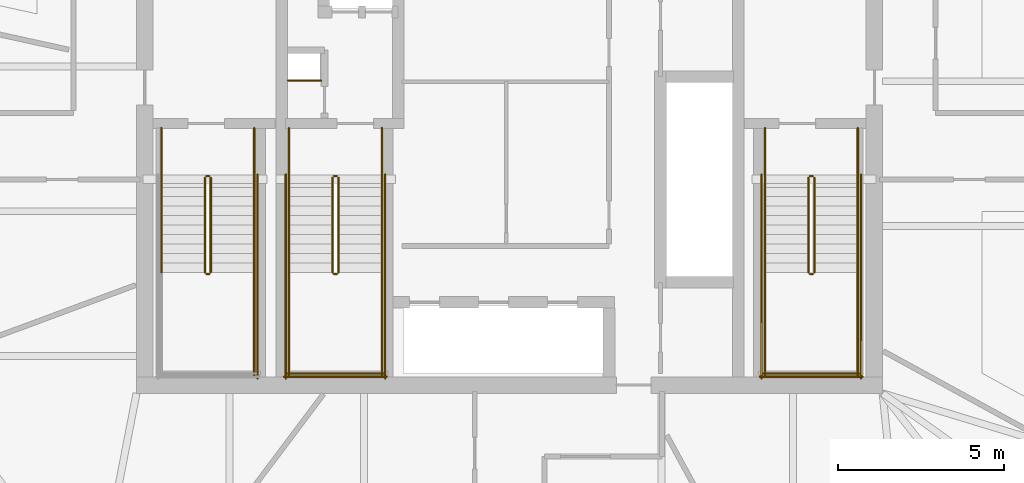
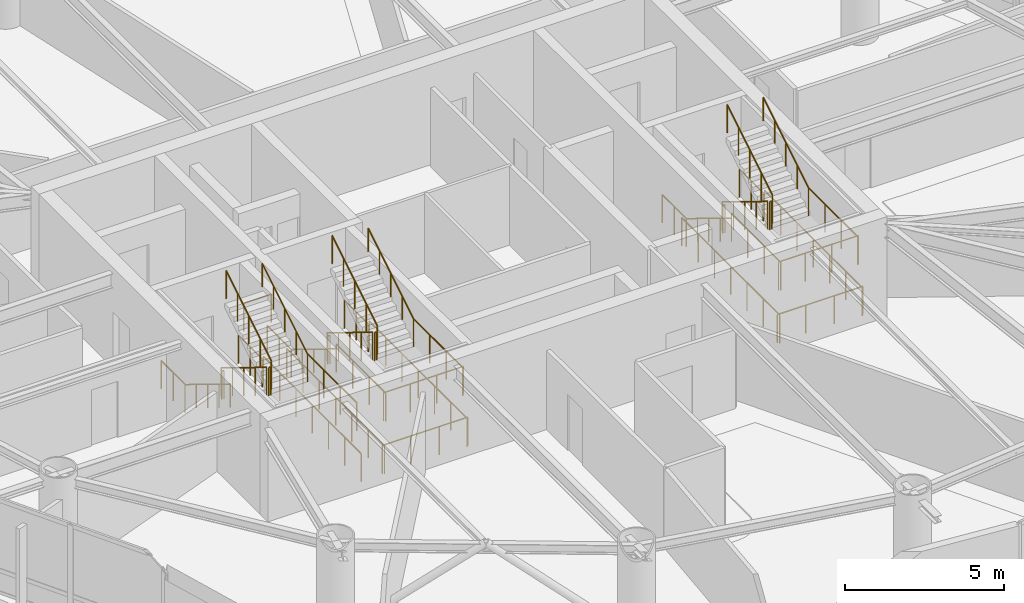
# One storey, part 21 of 22: 39 railings.
"""IFC4 building model written with IfcOpenShell, lengths in metres."""

from ifc_helpers import new_model, si_unit, direction, frame, origin, origin_2d, place, context, subcontext, project, spatial, circle, extrude, material, type_object, element, save


model = new_model("IFC4")

# Units and contexts
model_context = context("Model", 3, precision=1e-05, world=origin(), true_north=direction((0.0, 1.0)))
body_context = subcontext(model_context, "Body", "Model", "MODEL_VIEW")
ifc_project = project(units=[si_unit("LENGTHUNIT", "METRE"), si_unit("AREAUNIT", "SQUARE_METRE"), si_unit("VOLUMEUNIT", "CUBIC_METRE"), si_unit("PLANEANGLEUNIT", "RADIAN"), si_unit("MASSUNIT", "GRAM", prefix="KILO")], contexts=[model_context])

# Site, building, storey
site_placement = place(None, origin())
site = spatial("IfcSite", under=ifc_project, at=site_placement, CompositionType="ELEMENT")
building_placement = place(site_placement, origin())
building = spatial("IfcBuilding", under=site, at=building_placement, Name="Bramvorn Convention Spire", CompositionType="ELEMENT")
storey_placement = place(building_placement, frame((0.0, 0.0, 190.449951171875)))
storey = spatial("IfcBuildingStorey", under=building, at=storey_placement, Name="L48", CompositionType="ELEMENT", Elevation=190.449951171875)

# Railings
ifc_material_1 = material(Name="Painted Steel Balustrade & Guardrail", Category="steel")
railing_type_1 = type_object("IfcRailingType", Name="RL-STAIR-GUARD-1100", PredefinedType="GUARDRAIL", material=ifc_material_1)
railing_1_placement = place(storey_placement, frame((28.81005859375, 25.050048828125, 0.175048828125)))
element("IfcRailing", 1, at=railing_1_placement, inside=storey, type_object=railing_type_1, Name="L48 ST1 stair guard 1", PredefinedType="GUARDRAIL", context=body_context, shape_type="SweptSolid", body=[
    extrude(circle(Radius=0.02392578125, at=origin_2d()), frame((0.0, 0.0, 1.076171875), z_axis=(0.0, -0.852179220489, 0.52325001306), x_axis=(1.0, 0.0, 0.0)), (0.0, 0.0, 1.0), 3.344482421875),
    extrude(circle(Radius=0.02099609375, at=origin_2d()), origin(), (0.0, 0.0, 1.0), 1.052001953125),
    extrude(circle(Radius=0.02099609375, at=origin_2d()), frame((0.0, -0.71240234375, 0.4375)), (0.0, 0.0, 1.0), 1.052001953125),
    extrude(circle(Radius=0.02099609375, at=origin_2d()), frame((0.0, -1.425048828125, 0.875)), (0.0, 0.0, 1.0), 1.052001953125),
    extrude(circle(Radius=0.02099609375, at=origin_2d()), frame((0.0, -2.1376953125, 1.3125)), (0.0, 0.0, 1.0), 1.052001953125),
    extrude(circle(Radius=0.02099609375, at=origin_2d()), frame((0.0, -2.85009765625, 1.75)), (0.0, 0.0, 1.0), 1.052001953125),
])
railing_2_placement = place(storey_placement, frame((28.860107421875, 22.14990234375, 1.925048828125)))
element("IfcRailing", 2, at=railing_2_placement, inside=storey, type_object=railing_type_1, Name="L48 ST1 stair guard 2", PredefinedType="GUARDRAIL", context=body_context, shape_type="SweptSolid", body=[
    extrude(circle(Radius=0.02392578125, at=origin_2d()), frame((0.0, 0.0, 1.076171875), z_axis=(1.0, 0.0, 0.0), x_axis=(0.0, 1.0, 0.0)), (0.0, 0.0, 1.0), 0.079833984375),
    extrude(circle(Radius=0.02099609375, at=origin_2d()), origin(), (0.0, 0.0, 1.0), 1.052001953125),
    extrude(circle(Radius=0.02099609375, at=origin_2d()), frame((0.079833984375, 0.0, 0.0)), (0.0, 0.0, 1.0), 1.052001953125),
])
railing_3_placement = place(storey_placement, frame((30.300048828125, 22.199951171875, 1.925048828125)))
element("IfcRailing", 3, at=railing_3_placement, inside=storey, type_object=railing_type_1, Name="L48 ST1 stair guard 4", PredefinedType="GUARDRAIL", context=body_context, shape_type="SweptSolid", body=[
    extrude(circle(Radius=0.02392578125, at=origin_2d()), frame((0.0, 0.0, 1.076171875), z_axis=(0.0, -1.0, 0.0), x_axis=(1.0, 0.0, 0.0)), (0.0, 0.0, 1.0), 3.099853515625),
    extrude(circle(Radius=0.02099609375, at=origin_2d()), origin(), (0.0, 0.0, 1.0), 1.052001953125),
    extrude(circle(Radius=0.02099609375, at=origin_2d()), frame((0.0, -1.033203125, 0.0)), (0.0, 0.0, 1.0), 1.052001953125),
    extrude(circle(Radius=0.02099609375, at=origin_2d()), frame((0.0, -2.066650390625, 0.0)), (0.0, 0.0, 1.0), 1.052001953125),
    extrude(circle(Radius=0.02099609375, at=origin_2d()), frame((0.0, -3.099853515625, 0.0)), (0.0, 0.0, 1.0), 1.052001953125),
])
railing_4_placement = place(storey_placement, frame((28.989990234375, 22.199951171875, 2.10009765625)))
element("IfcRailing", 4, at=railing_4_placement, inside=storey, type_object=railing_type_1, Name="L48 ST1 stair guard 6", PredefinedType="GUARDRAIL", context=body_context, shape_type="SweptSolid", body=[
    extrude(circle(Radius=0.02392578125, at=origin_2d()), frame((0.0, 0.0, 1.076171875), z_axis=(0.0, 0.852179220489, 0.52325001306), x_axis=(-1.0, 0.0, 0.0)), (0.0, 0.0, 1.0), 3.344482421875),
    extrude(circle(Radius=0.02099609375, at=origin_2d()), origin(), (0.0, 0.0, 1.0), 1.052001953125),
    extrude(circle(Radius=0.02099609375, at=origin_2d()), frame((0.0, 0.71240234375, 0.4375)), (0.0, 0.0, 1.0), 1.052001953125),
    extrude(circle(Radius=0.02099609375, at=origin_2d()), frame((0.0, 1.425048828125, 0.875)), (0.0, 0.0, 1.0), 1.052001953125),
    extrude(circle(Radius=0.02099609375, at=origin_2d()), frame((0.0, 2.1376953125, 1.3125)), (0.0, 0.0, 1.0), 1.052001953125),
    extrude(circle(Radius=0.02099609375, at=origin_2d()), frame((0.0, 2.85009765625, 1.75)), (0.0, 0.0, 1.0), 1.052001953125),
])
railing_5_placement = place(storey_placement, frame((28.860107421875, 25.10009765625, 0.0)))
element("IfcRailing", 5, at=railing_5_placement, inside=storey, type_object=railing_type_1, Name="L48 ST1 stair guard 7", PredefinedType="GUARDRAIL", context=body_context, shape_type="SweptSolid", body=[
    extrude(circle(Radius=0.02392578125, at=origin_2d()), frame((0.0, 0.0, 1.076171875), z_axis=(1.0, 0.0, 0.0), x_axis=(0.0, 1.0, 0.0)), (0.0, 0.0, 1.0), 0.079833984375),
    extrude(circle(Radius=0.02099609375, at=origin_2d()), origin(), (0.0, 0.0, 1.0), 1.052001953125),
    extrude(circle(Radius=0.02099609375, at=origin_2d()), frame((0.079833984375, 0.0, 0.0)), (0.0, 0.0, 1.0), 1.052001953125),
])
for number, where, name in (
    (6, (27.5, 26.550048828125, 0.0), "L48 ST1 stair guard 8"),
    (7, (30.300048828125, 26.550048828125, 0.0), "L48 ST1 stair guard 9"),
):
    element("IfcRailing", number, at=place(storey_placement, frame(where)), inside=storey, type_object=railing_type_1, Name=name, PredefinedType="GUARDRAIL", context=body_context, shape_type="SweptSolid", body=[
        extrude(circle(Radius=0.02392578125, at=origin_2d()), frame((0.0, 0.0, 1.076171875), z_axis=(0.0, -1.0, 0.0), x_axis=(1.0, 0.0, 0.0)), (0.0, 0.0, 1.0), 1.5),
        extrude(circle(Radius=0.02099609375, at=origin_2d()), origin(), (0.0, 0.0, 1.0), 1.052001953125),
        extrude(circle(Radius=0.02099609375, at=origin_2d()), frame((0.0, -0.75, 0.0)), (0.0, 0.0, 1.0), 1.052001953125),
        extrude(circle(Radius=0.02099609375, at=origin_2d()), frame((0.0, -1.5, 0.0)), (0.0, 0.0, 1.0), 1.052001953125),
    ])
railing_6_placement = place(storey_placement, frame((30.39990234375, 25.14990234375, 0.0)))
element("IfcRailing", 8, at=railing_6_placement, inside=storey, type_object=railing_type_1, Name="L48 ST1 stair guard 11", PredefinedType="GUARDRAIL", context=body_context, shape_type="SweptSolid", body=[
    extrude(circle(Radius=0.02392578125, at=origin_2d()), frame((0.0, 0.0, 1.076171875), z_axis=(0.0, -1.0, 0.0), x_axis=(1.0, 0.0, 0.0)), (0.0, 0.0, 1.0), 6.14990234375),
    extrude(circle(Radius=0.02099609375, at=origin_2d()), origin(), (0.0, 0.0, 1.0), 1.052001953125),
    extrude(circle(Radius=0.02099609375, at=origin_2d()), frame((0.0, -1.02490234375, 0.0)), (0.0, 0.0, 1.0), 1.052001953125),
    extrude(circle(Radius=0.02099609375, at=origin_2d()), frame((0.0, -2.050048828125, 0.0)), (0.0, 0.0, 1.0), 1.052001953125),
    extrude(circle(Radius=0.02099609375, at=origin_2d()), frame((0.0, -3.074951171875, 0.0)), (0.0, 0.0, 1.0), 1.052001953125),
    extrude(circle(Radius=0.02099609375, at=origin_2d()), frame((0.0, -4.099853515625, 0.0)), (0.0, 0.0, 1.0), 1.052001953125),
    extrude(circle(Radius=0.02099609375, at=origin_2d()), frame((0.0, -5.125, 0.0)), (0.0, 0.0, 1.0), 1.052001953125),
    extrude(circle(Radius=0.02099609375, at=origin_2d()), frame((0.0, -6.14990234375, 0.0)), (0.0, 0.0, 1.0), 1.052001953125),
])
railing_7_placement = place(storey_placement, frame((47.010009765625, 25.050048828125, 0.175048828125)))
element("IfcRailing", 9, at=railing_7_placement, inside=storey, type_object=railing_type_1, Name="L48 ST2 stair guard 1", PredefinedType="GUARDRAIL", context=body_context, shape_type="SweptSolid", body=[
    extrude(circle(Radius=0.02392578125, at=origin_2d()), frame((0.0, 0.0, 1.076171875), z_axis=(0.0, -0.852179220489, 0.52325001306), x_axis=(1.0, 0.0, 0.0)), (0.0, 0.0, 1.0), 3.344482421875),
    extrude(circle(Radius=0.02099609375, at=origin_2d()), origin(), (0.0, 0.0, 1.0), 1.052001953125),
    extrude(circle(Radius=0.02099609375, at=origin_2d()), frame((0.0, -0.71240234375, 0.4375)), (0.0, 0.0, 1.0), 1.052001953125),
    extrude(circle(Radius=0.02099609375, at=origin_2d()), frame((0.0, -1.425048828125, 0.875)), (0.0, 0.0, 1.0), 1.052001953125),
    extrude(circle(Radius=0.02099609375, at=origin_2d()), frame((0.0, -2.1376953125, 1.3125)), (0.0, 0.0, 1.0), 1.052001953125),
    extrude(circle(Radius=0.02099609375, at=origin_2d()), frame((0.0, -2.85009765625, 1.75)), (0.0, 0.0, 1.0), 1.052001953125),
])
railing_8_placement = place(storey_placement, frame((47.06005859375, 22.14990234375, 1.925048828125)))
element("IfcRailing", 10, at=railing_8_placement, inside=storey, type_object=railing_type_1, Name="L48 ST2 stair guard 2", PredefinedType="GUARDRAIL", context=body_context, shape_type="SweptSolid", body=[
    extrude(circle(Radius=0.02392578125, at=origin_2d()), frame((0.0, 0.0, 1.076171875), z_axis=(1.0, 0.0, 0.0), x_axis=(0.0, 1.0, 0.0)), (0.0, 0.0, 1.0), 0.079833984375),
    extrude(circle(Radius=0.02099609375, at=origin_2d()), origin(), (0.0, 0.0, 1.0), 1.052001953125),
    extrude(circle(Radius=0.02099609375, at=origin_2d()), frame((0.079833984375, 0.0, 0.0)), (0.0, 0.0, 1.0), 1.052001953125),
])
for number, where, name in (
    (11, (45.699951171875, 22.199951171875, 1.925048828125), "L48 ST2 stair guard 3"),
    (12, (48.5, 22.199951171875, 1.925048828125), "L48 ST2 stair guard 4"),
):
    element("IfcRailing", number, at=place(storey_placement, frame(where)), inside=storey, type_object=railing_type_1, Name=name, PredefinedType="GUARDRAIL", context=body_context, shape_type="SweptSolid", body=[
        extrude(circle(Radius=0.02392578125, at=origin_2d()), frame((0.0, 0.0, 1.076171875), z_axis=(0.0, -1.0, 0.0), x_axis=(1.0, 0.0, 0.0)), (0.0, 0.0, 1.0), 3.099853515625),
        extrude(circle(Radius=0.02099609375, at=origin_2d()), origin(), (0.0, 0.0, 1.0), 1.052001953125),
        extrude(circle(Radius=0.02099609375, at=origin_2d()), frame((0.0, -1.033203125, 0.0)), (0.0, 0.0, 1.0), 1.052001953125),
        extrude(circle(Radius=0.02099609375, at=origin_2d()), frame((0.0, -2.066650390625, 0.0)), (0.0, 0.0, 1.0), 1.052001953125),
        extrude(circle(Radius=0.02099609375, at=origin_2d()), frame((0.0, -3.099853515625, 0.0)), (0.0, 0.0, 1.0), 1.052001953125),
    ])
railing_9_placement = place(storey_placement, frame((45.64990234375, 19.14990234375, 1.925048828125)))
element("IfcRailing", 13, at=railing_9_placement, inside=storey, type_object=railing_type_1, Name="L48 ST2 stair guard 5", PredefinedType="GUARDRAIL", context=body_context, shape_type="SweptSolid", body=[
    extrude(circle(Radius=0.02392578125, at=origin_2d()), frame((0.0, 0.0, 1.076171875), z_axis=(1.0, 0.0, 0.0), x_axis=(0.0, 1.0, 0.0)), (0.0, 0.0, 1.0), 2.900146484375),
    extrude(circle(Radius=0.02099609375, at=origin_2d()), origin(), (0.0, 0.0, 1.0), 1.052001953125),
    extrude(circle(Radius=0.02099609375, at=origin_2d()), frame((0.966796875, 0.0, 0.0)), (0.0, 0.0, 1.0), 1.052001953125),
    extrude(circle(Radius=0.02099609375, at=origin_2d()), frame((1.933349609375, 0.0, 0.0)), (0.0, 0.0, 1.0), 1.052001953125),
    extrude(circle(Radius=0.02099609375, at=origin_2d()), frame((2.900146484375, 0.0, 0.0)), (0.0, 0.0, 1.0), 1.052001953125),
])
railing_10_placement = place(storey_placement, frame((47.18994140625, 22.199951171875, 2.10009765625)))
element("IfcRailing", 14, at=railing_10_placement, inside=storey, type_object=railing_type_1, Name="L48 ST2 stair guard 6", PredefinedType="GUARDRAIL", context=body_context, shape_type="SweptSolid", body=[
    extrude(circle(Radius=0.02392578125, at=origin_2d()), frame((0.0, 0.0, 1.076171875), z_axis=(0.0, 0.852179220489, 0.52325001306), x_axis=(-1.0, 0.0, 0.0)), (0.0, 0.0, 1.0), 3.344482421875),
    extrude(circle(Radius=0.02099609375, at=origin_2d()), origin(), (0.0, 0.0, 1.0), 1.052001953125),
    extrude(circle(Radius=0.02099609375, at=origin_2d()), frame((0.0, 0.71240234375, 0.4375)), (0.0, 0.0, 1.0), 1.052001953125),
    extrude(circle(Radius=0.02099609375, at=origin_2d()), frame((0.0, 1.425048828125, 0.875)), (0.0, 0.0, 1.0), 1.052001953125),
    extrude(circle(Radius=0.02099609375, at=origin_2d()), frame((0.0, 2.1376953125, 1.3125)), (0.0, 0.0, 1.0), 1.052001953125),
    extrude(circle(Radius=0.02099609375, at=origin_2d()), frame((0.0, 2.85009765625, 1.75)), (0.0, 0.0, 1.0), 1.052001953125),
])
railing_11_placement = place(storey_placement, frame((47.06005859375, 25.10009765625, 0.0)))
element("IfcRailing", 15, at=railing_11_placement, inside=storey, type_object=railing_type_1, Name="L48 ST2 stair guard 7", PredefinedType="GUARDRAIL", context=body_context, shape_type="SweptSolid", body=[
    extrude(circle(Radius=0.02392578125, at=origin_2d()), frame((0.0, 0.0, 1.076171875), z_axis=(1.0, 0.0, 0.0), x_axis=(0.0, 1.0, 0.0)), (0.0, 0.0, 1.0), 0.079833984375),
    extrude(circle(Radius=0.02099609375, at=origin_2d()), origin(), (0.0, 0.0, 1.0), 1.052001953125),
    extrude(circle(Radius=0.02099609375, at=origin_2d()), frame((0.079833984375, 0.0, 0.0)), (0.0, 0.0, 1.0), 1.052001953125),
])
for number, where, name in (
    (16, (45.699951171875, 26.550048828125, 0.0), "L48 ST2 stair guard 8"),
    (17, (48.5, 26.550048828125, 0.0), "L48 ST2 stair guard 9"),
):
    element("IfcRailing", number, at=place(storey_placement, frame(where)), inside=storey, type_object=railing_type_1, Name=name, PredefinedType="GUARDRAIL", context=body_context, shape_type="SweptSolid", body=[
        extrude(circle(Radius=0.02392578125, at=origin_2d()), frame((0.0, 0.0, 1.076171875), z_axis=(0.0, -1.0, 0.0), x_axis=(1.0, 0.0, 0.0)), (0.0, 0.0, 1.0), 1.5),
        extrude(circle(Radius=0.02099609375, at=origin_2d()), origin(), (0.0, 0.0, 1.0), 1.052001953125),
        extrude(circle(Radius=0.02099609375, at=origin_2d()), frame((0.0, -0.75, 0.0)), (0.0, 0.0, 1.0), 1.052001953125),
        extrude(circle(Radius=0.02099609375, at=origin_2d()), frame((0.0, -1.5, 0.0)), (0.0, 0.0, 1.0), 1.052001953125),
    ])
for number, where, name in (
    (18, (45.60009765625, 25.14990234375, 0.0), "L48 ST2 stair guard 10"),
    (19, (48.60009765625, 25.14990234375, 0.0), "L48 ST2 stair guard 11"),
):
    element("IfcRailing", number, at=place(storey_placement, frame(where)), inside=storey, type_object=railing_type_1, Name=name, PredefinedType="GUARDRAIL", context=body_context, shape_type="SweptSolid", body=[
        extrude(circle(Radius=0.02392578125, at=origin_2d()), frame((0.0, 0.0, 1.076171875), z_axis=(0.0, -1.0, 0.0), x_axis=(1.0, 0.0, 0.0)), (0.0, 0.0, 1.0), 6.14990234375),
        extrude(circle(Radius=0.02099609375, at=origin_2d()), origin(), (0.0, 0.0, 1.0), 1.052001953125),
        extrude(circle(Radius=0.02099609375, at=origin_2d()), frame((0.0, -1.02490234375, 0.0)), (0.0, 0.0, 1.0), 1.052001953125),
        extrude(circle(Radius=0.02099609375, at=origin_2d()), frame((0.0, -2.050048828125, 0.0)), (0.0, 0.0, 1.0), 1.052001953125),
        extrude(circle(Radius=0.02099609375, at=origin_2d()), frame((0.0, -3.074951171875, 0.0)), (0.0, 0.0, 1.0), 1.052001953125),
        extrude(circle(Radius=0.02099609375, at=origin_2d()), frame((0.0, -4.099853515625, 0.0)), (0.0, 0.0, 1.0), 1.052001953125),
        extrude(circle(Radius=0.02099609375, at=origin_2d()), frame((0.0, -5.125, 0.0)), (0.0, 0.0, 1.0), 1.052001953125),
        extrude(circle(Radius=0.02099609375, at=origin_2d()), frame((0.0, -6.14990234375, 0.0)), (0.0, 0.0, 1.0), 1.052001953125),
    ])
railing_12_placement = place(storey_placement, frame((45.550048828125, 19.050048828125, 0.0)))
element("IfcRailing", 20, at=railing_12_placement, inside=storey, type_object=railing_type_1, Name="L48 ST2 stair guard 12", PredefinedType="GUARDRAIL", context=body_context, shape_type="SweptSolid", body=[
    extrude(circle(Radius=0.02392578125, at=origin_2d()), frame((0.0, 0.0, 1.076171875), z_axis=(1.0, 0.0, 0.0), x_axis=(0.0, 1.0, 0.0)), (0.0, 0.0, 1.0), 3.099853515625),
    extrude(circle(Radius=0.02099609375, at=origin_2d()), origin(), (0.0, 0.0, 1.0), 1.052001953125),
    extrude(circle(Radius=0.02099609375, at=origin_2d()), frame((1.033203125, 0.0, 0.0)), (0.0, 0.0, 1.0), 1.052001953125),
    extrude(circle(Radius=0.02099609375, at=origin_2d()), frame((2.066650390625, 0.0, 0.0)), (0.0, 0.0, 1.0), 1.052001953125),
    extrude(circle(Radius=0.02099609375, at=origin_2d()), frame((3.099853515625, 0.0, 0.0)), (0.0, 0.0, 1.0), 1.052001953125),
])
railing_13_placement = place(storey_placement, frame((32.659912109375, 25.050048828125, 0.175048828125)))
element("IfcRailing", 21, at=railing_13_placement, inside=storey, type_object=railing_type_1, Name="L48 ST3 stair guard 1", PredefinedType="GUARDRAIL", context=body_context, shape_type="SweptSolid", body=[
    extrude(circle(Radius=0.02392578125, at=origin_2d()), frame((0.0, 0.0, 1.076171875), z_axis=(0.0, -0.852179220489, 0.52325001306), x_axis=(1.0, 0.0, 0.0)), (0.0, 0.0, 1.0), 3.344482421875),
    extrude(circle(Radius=0.02099609375, at=origin_2d()), origin(), (0.0, 0.0, 1.0), 1.052001953125),
    extrude(circle(Radius=0.02099609375, at=origin_2d()), frame((0.0, -0.71240234375, 0.4375)), (0.0, 0.0, 1.0), 1.052001953125),
    extrude(circle(Radius=0.02099609375, at=origin_2d()), frame((0.0, -1.425048828125, 0.875)), (0.0, 0.0, 1.0), 1.052001953125),
    extrude(circle(Radius=0.02099609375, at=origin_2d()), frame((0.0, -2.1376953125, 1.3125)), (0.0, 0.0, 1.0), 1.052001953125),
    extrude(circle(Radius=0.02099609375, at=origin_2d()), frame((0.0, -2.85009765625, 1.75)), (0.0, 0.0, 1.0), 1.052001953125),
])
railing_14_placement = place(storey_placement, frame((32.7099609375, 22.14990234375, 1.925048828125)))
element("IfcRailing", 22, at=railing_14_placement, inside=storey, type_object=railing_type_1, Name="L48 ST3 stair guard 2", PredefinedType="GUARDRAIL", context=body_context, shape_type="SweptSolid", body=[
    extrude(circle(Radius=0.02392578125, at=origin_2d()), frame((0.0, 0.0, 1.076171875), z_axis=(1.0, 0.0, 0.0), x_axis=(0.0, 1.0, 0.0)), (0.0, 0.0, 1.0), 0.080078125),
    extrude(circle(Radius=0.02099609375, at=origin_2d()), origin(), (0.0, 0.0, 1.0), 1.052001953125),
    extrude(circle(Radius=0.02099609375, at=origin_2d()), frame((0.080078125, 0.0, 0.0)), (0.0, 0.0, 1.0), 1.052001953125),
])
for number, where, name in (
    (23, (31.35009765625, 22.199951171875, 1.925048828125), "L48 ST3 stair guard 3"),
    (24, (34.14990234375, 22.199951171875, 1.925048828125), "L48 ST3 stair guard 4"),
):
    element("IfcRailing", number, at=place(storey_placement, frame(where)), inside=storey, type_object=railing_type_1, Name=name, PredefinedType="GUARDRAIL", context=body_context, shape_type="SweptSolid", body=[
        extrude(circle(Radius=0.02392578125, at=origin_2d()), frame((0.0, 0.0, 1.076171875), z_axis=(0.0, -1.0, 0.0), x_axis=(1.0, 0.0, 0.0)), (0.0, 0.0, 1.0), 3.099853515625),
        extrude(circle(Radius=0.02099609375, at=origin_2d()), origin(), (0.0, 0.0, 1.0), 1.052001953125),
        extrude(circle(Radius=0.02099609375, at=origin_2d()), frame((0.0, -1.033203125, 0.0)), (0.0, 0.0, 1.0), 1.052001953125),
        extrude(circle(Radius=0.02099609375, at=origin_2d()), frame((0.0, -2.066650390625, 0.0)), (0.0, 0.0, 1.0), 1.052001953125),
        extrude(circle(Radius=0.02099609375, at=origin_2d()), frame((0.0, -3.099853515625, 0.0)), (0.0, 0.0, 1.0), 1.052001953125),
    ])
railing_15_placement = place(storey_placement, frame((31.300048828125, 19.14990234375, 1.925048828125)))
element("IfcRailing", 25, at=railing_15_placement, inside=storey, type_object=railing_type_1, Name="L48 ST3 stair guard 5", PredefinedType="GUARDRAIL", context=body_context, shape_type="SweptSolid", body=[
    extrude(circle(Radius=0.02392578125, at=origin_2d()), frame((0.0, 0.0, 1.076171875), z_axis=(1.0, 0.0, 0.0), x_axis=(0.0, 1.0, 0.0)), (0.0, 0.0, 1.0), 2.89990234375),
    extrude(circle(Radius=0.02099609375, at=origin_2d()), origin(), (0.0, 0.0, 1.0), 1.052001953125),
    extrude(circle(Radius=0.02099609375, at=origin_2d()), frame((0.966552734375, 0.0, 0.0)), (0.0, 0.0, 1.0), 1.052001953125),
    extrude(circle(Radius=0.02099609375, at=origin_2d()), frame((1.933349609375, 0.0, 0.0)), (0.0, 0.0, 1.0), 1.052001953125),
    extrude(circle(Radius=0.02099609375, at=origin_2d()), frame((2.89990234375, 0.0, 0.0)), (0.0, 0.0, 1.0), 1.052001953125),
])
railing_16_placement = place(storey_placement, frame((32.840087890625, 22.199951171875, 2.10009765625)))
element("IfcRailing", 26, at=railing_16_placement, inside=storey, type_object=railing_type_1, Name="L48 ST3 stair guard 6", PredefinedType="GUARDRAIL", context=body_context, shape_type="SweptSolid", body=[
    extrude(circle(Radius=0.02392578125, at=origin_2d()), frame((0.0, 0.0, 1.076171875), z_axis=(0.0, 0.852179220489, 0.52325001306), x_axis=(-1.0, 0.0, 0.0)), (0.0, 0.0, 1.0), 3.344482421875),
    extrude(circle(Radius=0.02099609375, at=origin_2d()), origin(), (0.0, 0.0, 1.0), 1.052001953125),
    extrude(circle(Radius=0.02099609375, at=origin_2d()), frame((0.0, 0.71240234375, 0.4375)), (0.0, 0.0, 1.0), 1.052001953125),
    extrude(circle(Radius=0.02099609375, at=origin_2d()), frame((0.0, 1.425048828125, 0.875)), (0.0, 0.0, 1.0), 1.052001953125),
    extrude(circle(Radius=0.02099609375, at=origin_2d()), frame((0.0, 2.1376953125, 1.3125)), (0.0, 0.0, 1.0), 1.052001953125),
    extrude(circle(Radius=0.02099609375, at=origin_2d()), frame((0.0, 2.85009765625, 1.75)), (0.0, 0.0, 1.0), 1.052001953125),
])
railing_17_placement = place(storey_placement, frame((32.7099609375, 25.10009765625, 0.0)))
element("IfcRailing", 27, at=railing_17_placement, inside=storey, type_object=railing_type_1, Name="L48 ST3 stair guard 7", PredefinedType="GUARDRAIL", context=body_context, shape_type="SweptSolid", body=[
    extrude(circle(Radius=0.02392578125, at=origin_2d()), frame((0.0, 0.0, 1.076171875), z_axis=(1.0, 0.0, 0.0), x_axis=(0.0, 1.0, 0.0)), (0.0, 0.0, 1.0), 0.080078125),
    extrude(circle(Radius=0.02099609375, at=origin_2d()), origin(), (0.0, 0.0, 1.0), 1.052001953125),
    extrude(circle(Radius=0.02099609375, at=origin_2d()), frame((0.080078125, 0.0, 0.0)), (0.0, 0.0, 1.0), 1.052001953125),
])
for number, where, name in (
    (28, (31.35009765625, 26.550048828125, 0.0), "L48 ST3 stair guard 8"),
    (29, (34.14990234375, 26.550048828125, 0.0), "L48 ST3 stair guard 9"),
):
    element("IfcRailing", number, at=place(storey_placement, frame(where)), inside=storey, type_object=railing_type_1, Name=name, PredefinedType="GUARDRAIL", context=body_context, shape_type="SweptSolid", body=[
        extrude(circle(Radius=0.02392578125, at=origin_2d()), frame((0.0, 0.0, 1.076171875), z_axis=(0.0, -1.0, 0.0), x_axis=(1.0, 0.0, 0.0)), (0.0, 0.0, 1.0), 1.5),
        extrude(circle(Radius=0.02099609375, at=origin_2d()), origin(), (0.0, 0.0, 1.0), 1.052001953125),
        extrude(circle(Radius=0.02099609375, at=origin_2d()), frame((0.0, -0.75, 0.0)), (0.0, 0.0, 1.0), 1.052001953125),
        extrude(circle(Radius=0.02099609375, at=origin_2d()), frame((0.0, -1.5, 0.0)), (0.0, 0.0, 1.0), 1.052001953125),
    ])
for number, where, name in (
    (30, (31.25, 25.14990234375, 0.0), "L48 ST3 stair guard 10"),
    (31, (34.25, 25.14990234375, 0.0), "L48 ST3 stair guard 11"),
):
    element("IfcRailing", number, at=place(storey_placement, frame(where)), inside=storey, type_object=railing_type_1, Name=name, PredefinedType="GUARDRAIL", context=body_context, shape_type="SweptSolid", body=[
        extrude(circle(Radius=0.02392578125, at=origin_2d()), frame((0.0, 0.0, 1.076171875), z_axis=(0.0, -1.0, 0.0), x_axis=(1.0, 0.0, 0.0)), (0.0, 0.0, 1.0), 6.14990234375),
        extrude(circle(Radius=0.02099609375, at=origin_2d()), origin(), (0.0, 0.0, 1.0), 1.052001953125),
        extrude(circle(Radius=0.02099609375, at=origin_2d()), frame((0.0, -1.02490234375, 0.0)), (0.0, 0.0, 1.0), 1.052001953125),
        extrude(circle(Radius=0.02099609375, at=origin_2d()), frame((0.0, -2.050048828125, 0.0)), (0.0, 0.0, 1.0), 1.052001953125),
        extrude(circle(Radius=0.02099609375, at=origin_2d()), frame((0.0, -3.074951171875, 0.0)), (0.0, 0.0, 1.0), 1.052001953125),
        extrude(circle(Radius=0.02099609375, at=origin_2d()), frame((0.0, -4.099853515625, 0.0)), (0.0, 0.0, 1.0), 1.052001953125),
        extrude(circle(Radius=0.02099609375, at=origin_2d()), frame((0.0, -5.125, 0.0)), (0.0, 0.0, 1.0), 1.052001953125),
        extrude(circle(Radius=0.02099609375, at=origin_2d()), frame((0.0, -6.14990234375, 0.0)), (0.0, 0.0, 1.0), 1.052001953125),
    ])
railing_18_placement = place(storey_placement, frame((31.199951171875, 19.050048828125, 0.0)))
element("IfcRailing", 32, at=railing_18_placement, inside=storey, type_object=railing_type_1, Name="L48 ST3 stair guard 12", PredefinedType="GUARDRAIL", context=body_context, shape_type="SweptSolid", body=[
    extrude(circle(Radius=0.02392578125, at=origin_2d()), frame((0.0, 0.0, 1.076171875), z_axis=(1.0, 0.0, 0.0), x_axis=(0.0, 1.0, 0.0)), (0.0, 0.0, 1.0), 3.10009765625),
    extrude(circle(Radius=0.02099609375, at=origin_2d()), origin(), (0.0, 0.0, 1.0), 1.052001953125),
    extrude(circle(Radius=0.02099609375, at=origin_2d()), frame((1.033447265625, 0.0, 0.0)), (0.0, 0.0, 1.0), 1.052001953125),
    extrude(circle(Radius=0.02099609375, at=origin_2d()), frame((2.066650390625, 0.0, 0.0)), (0.0, 0.0, 1.0), 1.052001953125),
    extrude(circle(Radius=0.02099609375, at=origin_2d()), frame((3.10009765625, 0.0, 0.0)), (0.0, 0.0, 1.0), 1.052001953125),
])
railing_19_placement = place(storey_placement, frame((31.320068359375, 27.97998046875, 0.0)))
element("IfcRailing", 33, at=railing_19_placement, inside=storey, type_object=railing_type_1, Name="L48 Telecom riser shaft opening safety guardrail", PredefinedType="GUARDRAIL", context=body_context, shape_type="SweptSolid", body=[
    extrude(circle(Radius=0.02392578125, at=origin_2d()), frame((0.0, 0.0, 1.076171875), z_axis=(1.0, 0.0, 0.0), x_axis=(0.0, 1.0, 0.0)), (0.0, 0.0, 1.0), 1.0),
    extrude(circle(Radius=0.02099609375, at=origin_2d()), origin(), (0.0, 0.0, 1.0), 1.052001953125),
    extrude(circle(Radius=0.02099609375, at=origin_2d()), frame((1.0, 0.0, 0.0)), (0.0, 0.0, 1.0), 1.052001953125),
])
ifc_material_2 = material(Name="Brushed Bronze Tubular Handrail", Category="aluminium")
railing_type_2 = type_object("IfcRailingType", Name="RL-STAIR-HR-920", PredefinedType="HANDRAIL", material=ifc_material_2)
railing_20_placement = place(storey_placement, frame((27.5, 25.050048828125, 0.175048828125)))
element("IfcRailing", 34, at=railing_20_placement, inside=storey, type_object=railing_type_2, Name="L48 ST1 stair handrail 1", PredefinedType="HANDRAIL", context=body_context, shape_type="SweptSolid", body=[
    extrude(circle(Radius=0.02392578125, at=origin_2d()), frame((0.0, 0.0, 0.89599609375), z_axis=(0.0, -0.852179220489, 0.52325001306), x_axis=(1.0, 0.0, 0.0)), (0.0, 0.0, 1.0), 3.344482421875),
    extrude(circle(Radius=0.02099609375, at=origin_2d()), origin(), (0.0, 0.0, 1.0), 0.871826171875),
    extrude(circle(Radius=0.02099609375, at=origin_2d()), frame((0.0, -0.71240234375, 0.4375)), (0.0, 0.0, 1.0), 0.871826171875),
    extrude(circle(Radius=0.02099609375, at=origin_2d()), frame((0.0, -1.425048828125, 0.875)), (0.0, 0.0, 1.0), 0.871826171875),
    extrude(circle(Radius=0.02099609375, at=origin_2d()), frame((0.0, -2.1376953125, 1.3125)), (0.0, 0.0, 1.0), 0.871826171875),
    extrude(circle(Radius=0.02099609375, at=origin_2d()), frame((0.0, -2.85009765625, 1.75)), (0.0, 0.0, 1.0), 0.871826171875),
])
railing_21_placement = place(storey_placement, frame((30.300048828125, 22.199951171875, 2.10009765625)))
element("IfcRailing", 35, at=railing_21_placement, inside=storey, type_object=railing_type_2, Name="L48 ST1 stair handrail 2", PredefinedType="HANDRAIL", context=body_context, shape_type="SweptSolid", body=[
    extrude(circle(Radius=0.02392578125, at=origin_2d()), frame((0.0, 0.0, 0.89599609375), z_axis=(0.0, 0.852179220489, 0.52325001306), x_axis=(-1.0, 0.0, 0.0)), (0.0, 0.0, 1.0), 3.344482421875),
    extrude(circle(Radius=0.02099609375, at=origin_2d()), origin(), (0.0, 0.0, 1.0), 0.871826171875),
    extrude(circle(Radius=0.02099609375, at=origin_2d()), frame((0.0, 0.71240234375, 0.4375)), (0.0, 0.0, 1.0), 0.871826171875),
    extrude(circle(Radius=0.02099609375, at=origin_2d()), frame((0.0, 1.425048828125, 0.875)), (0.0, 0.0, 1.0), 0.871826171875),
    extrude(circle(Radius=0.02099609375, at=origin_2d()), frame((0.0, 2.1376953125, 1.3125)), (0.0, 0.0, 1.0), 0.871826171875),
    extrude(circle(Radius=0.02099609375, at=origin_2d()), frame((0.0, 2.85009765625, 1.75)), (0.0, 0.0, 1.0), 0.871826171875),
])
railing_22_placement = place(storey_placement, frame((45.699951171875, 25.050048828125, 0.175048828125)))
element("IfcRailing", 36, at=railing_22_placement, inside=storey, type_object=railing_type_2, Name="L48 ST2 stair handrail 1", PredefinedType="HANDRAIL", context=body_context, shape_type="SweptSolid", body=[
    extrude(circle(Radius=0.02392578125, at=origin_2d()), frame((0.0, 0.0, 0.89599609375), z_axis=(0.0, -0.852179220489, 0.52325001306), x_axis=(1.0, 0.0, 0.0)), (0.0, 0.0, 1.0), 3.344482421875),
    extrude(circle(Radius=0.02099609375, at=origin_2d()), origin(), (0.0, 0.0, 1.0), 0.871826171875),
    extrude(circle(Radius=0.02099609375, at=origin_2d()), frame((0.0, -0.71240234375, 0.4375)), (0.0, 0.0, 1.0), 0.871826171875),
    extrude(circle(Radius=0.02099609375, at=origin_2d()), frame((0.0, -1.425048828125, 0.875)), (0.0, 0.0, 1.0), 0.871826171875),
    extrude(circle(Radius=0.02099609375, at=origin_2d()), frame((0.0, -2.1376953125, 1.3125)), (0.0, 0.0, 1.0), 0.871826171875),
    extrude(circle(Radius=0.02099609375, at=origin_2d()), frame((0.0, -2.85009765625, 1.75)), (0.0, 0.0, 1.0), 0.871826171875),
])
railing_23_placement = place(storey_placement, frame((48.5, 22.199951171875, 2.10009765625)))
element("IfcRailing", 37, at=railing_23_placement, inside=storey, type_object=railing_type_2, Name="L48 ST2 stair handrail 2", PredefinedType="HANDRAIL", context=body_context, shape_type="SweptSolid", body=[
    extrude(circle(Radius=0.02392578125, at=origin_2d()), frame((0.0, 0.0, 0.89599609375), z_axis=(0.0, 0.852179220489, 0.52325001306), x_axis=(-1.0, 0.0, 0.0)), (0.0, 0.0, 1.0), 3.344482421875),
    extrude(circle(Radius=0.02099609375, at=origin_2d()), origin(), (0.0, 0.0, 1.0), 0.871826171875),
    extrude(circle(Radius=0.02099609375, at=origin_2d()), frame((0.0, 0.71240234375, 0.4375)), (0.0, 0.0, 1.0), 0.871826171875),
    extrude(circle(Radius=0.02099609375, at=origin_2d()), frame((0.0, 1.425048828125, 0.875)), (0.0, 0.0, 1.0), 0.871826171875),
    extrude(circle(Radius=0.02099609375, at=origin_2d()), frame((0.0, 2.1376953125, 1.3125)), (0.0, 0.0, 1.0), 0.871826171875),
    extrude(circle(Radius=0.02099609375, at=origin_2d()), frame((0.0, 2.85009765625, 1.75)), (0.0, 0.0, 1.0), 0.871826171875),
])
railing_24_placement = place(storey_placement, frame((31.35009765625, 25.050048828125, 0.175048828125)))
element("IfcRailing", 38, at=railing_24_placement, inside=storey, type_object=railing_type_2, Name="L48 ST3 stair handrail 1", PredefinedType="HANDRAIL", context=body_context, shape_type="SweptSolid", body=[
    extrude(circle(Radius=0.02392578125, at=origin_2d()), frame((0.0, 0.0, 0.89599609375), z_axis=(0.0, -0.852179220489, 0.52325001306), x_axis=(1.0, 0.0, 0.0)), (0.0, 0.0, 1.0), 3.344482421875),
    extrude(circle(Radius=0.02099609375, at=origin_2d()), origin(), (0.0, 0.0, 1.0), 0.871826171875),
    extrude(circle(Radius=0.02099609375, at=origin_2d()), frame((0.0, -0.71240234375, 0.4375)), (0.0, 0.0, 1.0), 0.871826171875),
    extrude(circle(Radius=0.02099609375, at=origin_2d()), frame((0.0, -1.425048828125, 0.875)), (0.0, 0.0, 1.0), 0.871826171875),
    extrude(circle(Radius=0.02099609375, at=origin_2d()), frame((0.0, -2.1376953125, 1.3125)), (0.0, 0.0, 1.0), 0.871826171875),
    extrude(circle(Radius=0.02099609375, at=origin_2d()), frame((0.0, -2.85009765625, 1.75)), (0.0, 0.0, 1.0), 0.871826171875),
])
railing_25_placement = place(storey_placement, frame((34.14990234375, 22.199951171875, 2.10009765625)))
element("IfcRailing", 39, at=railing_25_placement, inside=storey, type_object=railing_type_2, Name="L48 ST3 stair handrail 2", PredefinedType="HANDRAIL", context=body_context, shape_type="SweptSolid", body=[
    extrude(circle(Radius=0.02392578125, at=origin_2d()), frame((0.0, 0.0, 0.89599609375), z_axis=(0.0, 0.852179220489, 0.52325001306), x_axis=(-1.0, 0.0, 0.0)), (0.0, 0.0, 1.0), 3.344482421875),
    extrude(circle(Radius=0.02099609375, at=origin_2d()), origin(), (0.0, 0.0, 1.0), 0.871826171875),
    extrude(circle(Radius=0.02099609375, at=origin_2d()), frame((0.0, 0.71240234375, 0.4375)), (0.0, 0.0, 1.0), 0.871826171875),
    extrude(circle(Radius=0.02099609375, at=origin_2d()), frame((0.0, 1.425048828125, 0.875)), (0.0, 0.0, 1.0), 0.871826171875),
    extrude(circle(Radius=0.02099609375, at=origin_2d()), frame((0.0, 2.1376953125, 1.3125)), (0.0, 0.0, 1.0), 0.871826171875),
    extrude(circle(Radius=0.02099609375, at=origin_2d()), frame((0.0, 2.85009765625, 1.75)), (0.0, 0.0, 1.0), 0.871826171875),
])

save(model, "model.ifc")
